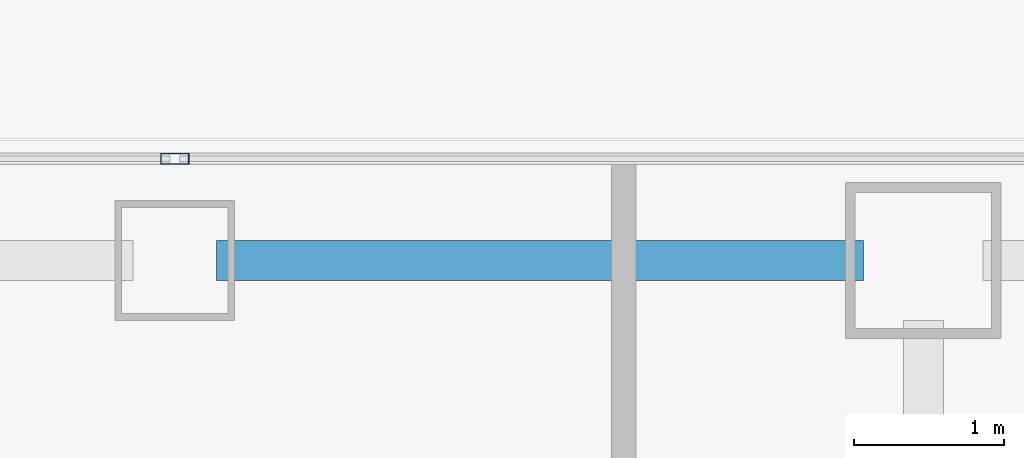
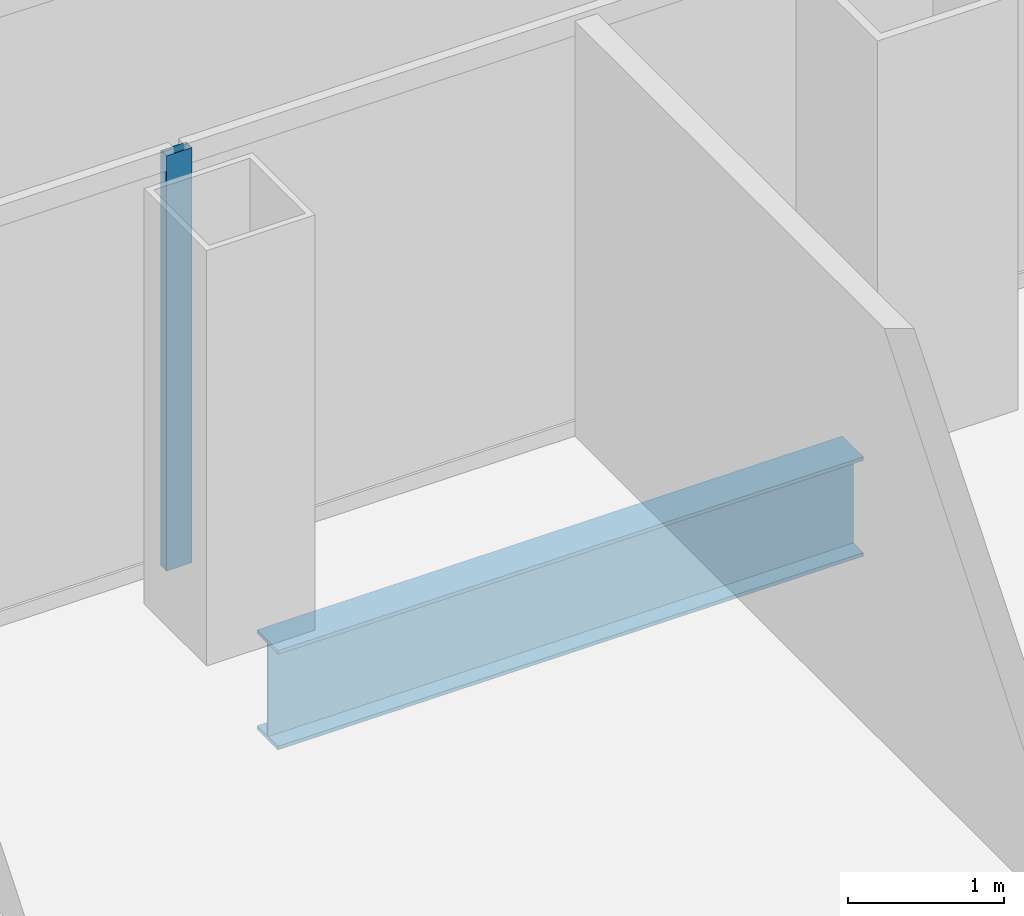
# One storey, part 13 of 22: 1 beam, 1 member, 1 element without a shape of its own.
"""IFC4 building model written with IfcOpenShell, lengths in metres."""

from ifc_helpers import new_model, si_unit, direction, frame, origin, origin_2d, place, context, subcontext, project, spatial, hollow_rectangle, i_section, extrude, source, transform, mapped, material, layer, layer_set, material_profile, profile_set, type_object, element, aggregate, save


model = new_model("IFC4")

# Units and contexts
model_context = context("Model", 3, precision=1e-05, world=origin(), true_north=direction((0.0, 1.0)))
body_context = subcontext(model_context, "Body", "Model", "MODEL_VIEW")
ifc_project = project(units=[si_unit("LENGTHUNIT", "METRE"), si_unit("AREAUNIT", "SQUARE_METRE"), si_unit("VOLUMEUNIT", "CUBIC_METRE"), si_unit("PLANEANGLEUNIT", "RADIAN"), si_unit("MASSUNIT", "GRAM", prefix="KILO")], contexts=[model_context])

# Site, building, storey
site_placement = place(None, origin())
site = spatial("IfcSite", under=ifc_project, at=site_placement, CompositionType="ELEMENT")
building_placement = place(site_placement, origin())
building = spatial("IfcBuilding", under=site, at=building_placement, Name="Kolveth Station Tower", CompositionType="ELEMENT")
storey_placement = place(building_placement, frame((0.0, 0.0, 72.89990234375)))
storey = spatial("IfcBuildingStorey", under=building, at=storey_placement, Name="L19", CompositionType="ELEMENT", Elevation=72.89990234375)

# Beam
ifc_material_1 = material(Name="Steel S355", Category="steel")
ifc_material_profile_1 = material_profile(ifc_material_1, i_section(OverallWidth=0.26904296875, OverallDepth=0.77490234375, WebThickness=0.01708984375, FlangeThickness=0.0283203125, at=origin_2d()), Name="W760x220")
ifc_profile_set_1 = profile_set([ifc_material_profile_1], Name="Steel S355")
beam_type = type_object("IfcBeamType", Name="Beam_SP1", PredefinedType="SPANDREL", material=ifc_profile_set_1)
shared_shape_1 = source(origin(), body_context, "Body", "SweptSolid", [
    extrude(i_section(OverallWidth=0.26904296875, OverallDepth=0.77490234375, WebThickness=0.01708984375, FlangeThickness=0.0283203125, at=origin_2d()), origin(), (0.0, 0.0, 1.0), 4.320068359375),
])
beam_placement = place(storey_placement, frame((23.780029296875, 39.699951171875, -0.66748046875), z_axis=(1.0, 0.0, 0.0), x_axis=(0.0, 1.0, 0.0)))
element("IfcBeam", 1, at=beam_placement, inside=storey, type_object=beam_type, Name="L19 Perimeter Spandrel BM-L19-PN-6", PredefinedType="SPANDREL", context=body_context, shape_type="MappedRepresentation", body=[
    mapped(shared_shape_1, transform((0.0, 0.0, 0.0), x_axis=(1.0, 0.0, 0.0), y_axis=(0.0, 1.0, 0.0), z_axis=(0.0, 0.0, 1.0), scale=1.0)),
])

# Curtain wall, member
ifc_material_2 = material(Name="Aluminium 6063-T6 and low-E dark glass", Category="aluminium")
ifc_layer = layer(ifc_material_2, 0.179931640625)
ifc_layer_set = layer_set([ifc_layer], Name="Aluminium 6063-T6 and low-E dark glass")
curtain_wall_type = type_object("IfcCurtainWallType", Name="CurtainWall_CW-Z1", PredefinedType="NOTDEFINED", material=ifc_layer_set)
curtain_wall_placement = place(storey_placement, origin())
curtain_wall = element("IfcCurtainWall", 2, at=curtain_wall_placement, inside=storey, type_object=curtain_wall_type, Name="L19 Inner Thermal Curtain Wall 6", PredefinedType="NOTDEFINED")
ifc_material_3 = material(Name="Black anodized aluminium 6063-T6", Category="aluminium")
ifc_material_profile_2 = material_profile(ifc_material_3, hollow_rectangle(XDim=0.074951171875, YDim=0.18994140625, WallThickness=0.0048828125, at=origin_2d()), Name="ALU-75x190x5")
ifc_profile_set_2 = profile_set([ifc_material_profile_2], Name="Black anodized aluminium 6063-T6")
member_type = type_object("IfcMemberType", Name="Mullion_ML1", PredefinedType="MULLION", material=ifc_profile_set_2)
shared_shape_2 = source(origin(), body_context, "Body", "SweptSolid", [
    extrude(hollow_rectangle(XDim=0.074951171875, YDim=0.18994140625, WallThickness=0.0048828125, at=origin_2d()), origin(), (0.0, 0.0, 1.0), 3.239990234375),
])
member_placement = place(storey_placement, frame((23.5, 40.3798828125, 0.0), z_axis=(0.0, 0.0, 1.0), x_axis=(0.0, -1.0, 0.0)))
member = element("IfcMember", 3, at=member_placement, type_object=member_type, Name="CW-Z1 mullion 2", PredefinedType="MULLION", context=body_context, shape_type="MappedRepresentation", body=[
    mapped(shared_shape_2, transform((0.0, 0.0, 0.0), x_axis=(1.0, 0.0, 0.0), y_axis=(0.0, 1.0, 0.0), z_axis=(0.0, 0.0, 1.0), scale=1.0)),
])
aggregate(curtain_wall, [member])

save(model, "model.ifc")
